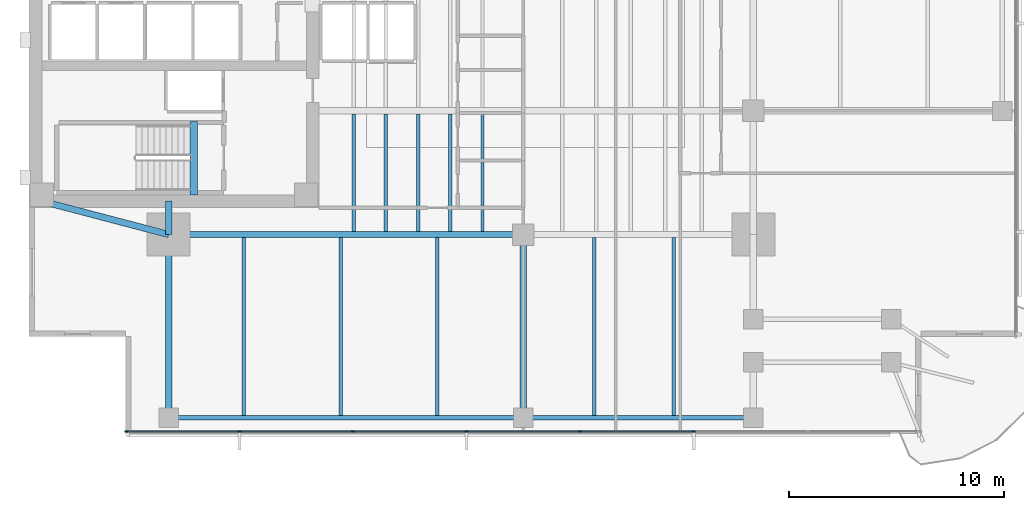
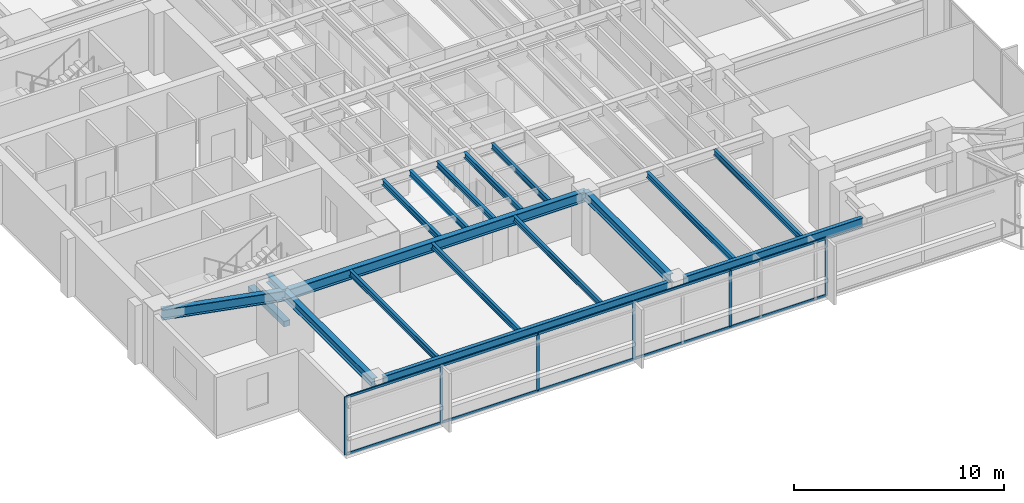
# One storey, part 2 of 14: 18 beams, 16 members, 1 element without a shape of its own.
"""IFC4 building model written with IfcOpenShell, lengths in metres."""

import ifcopenshell
import ifcopenshell.guid

model = None  # the IFC model being written
_history = None  # IfcOwnerHistory: only IFC2X3 demands one
_inside = {}  # id of a spatial element -> (the spatial element, [elements in it])
_under = {}  # id of a project, library or spatial element -> (it, [spatial elements below it])
_declared = {}  # id of a project -> (the project, [libraries it declares])
_typed = {}  # id of a type object -> (the type object, [elements of that type])
_made_of = {}  # id of a material, layer set ... -> (it, [elements and type objects made of it])


def new_model(schema):
    """Start an empty IFC model of exactly this schema.

    Asked for "IFC4X3", IfcOpenShell would pick the latest addendum, in which some entities
    have other attributes; the version numbers below select the first issue.
    IFC2X3 requires an IfcOwnerHistory on every rooted entity: one is made here for all.
    """
    global model, _history
    if schema == "IFC4X3":
        model = ifcopenshell.file(schema_version=(4, 3, 0, 0))
    else:
        model = ifcopenshell.file(schema=schema)
    _inside.clear()
    _under.clear()
    _declared.clear()
    _typed.clear()
    _made_of.clear()
    _history = None
    if model.schema == "IFC2X3":
        org = make("IfcOrganization", Name="unknown")
        user = make(
            "IfcPersonAndOrganization",
            ThePerson=make("IfcPerson", FamilyName="unknown"),
            TheOrganization=org,
        )
        app = make(
            "IfcApplication",
            ApplicationDeveloper=org,
            Version="unknown",
            ApplicationFullName="unknown",
            ApplicationIdentifier="unknown",
        )
        _history = make(
            "IfcOwnerHistory",
            OwningUser=user,
            OwningApplication=app,
            ChangeAction="ADDED",
            CreationDate=0,
        )
    return model


def make(cls, **values):
    """One entity of the class cls with the attributes given. An attribute that is None is left unset."""
    return model.create_entity(
        cls, **{name: value for name, value in values.items() if value is not None}
    )


def rooted(cls, **values):
    """An entity with a GlobalId (a new one), such as an element, a storey or a relation."""
    return make(cls, GlobalId=ifcopenshell.guid.new(), OwnerHistory=_history, **values)


def si_unit(unit_type, name, prefix=None):
    """IfcSIUnit, for example si_unit("LENGTHUNIT", "METRE", prefix="MILLI")."""
    return make("IfcSIUnit", UnitType=unit_type, Prefix=prefix, Name=name)


def assignment(units):
    """IfcUnitAssignment: the units of a project."""
    return None if units is None else make("IfcUnitAssignment", Units=units)


def point(xyz):
    """IfcCartesianPoint."""
    return None if xyz is None else make("IfcCartesianPoint", Coordinates=xyz)


def direction(xyz):
    """IfcDirection."""
    return None if xyz is None else make("IfcDirection", DirectionRatios=xyz)


def frame(location, z_axis=None, x_axis=None):
    """IfcAxis2Placement3D, a coordinate frame: its origin and axes. An axis left out is left unset."""
    return make(
        "IfcAxis2Placement3D",
        Location=point(location),
        Axis=direction(z_axis),
        RefDirection=direction(x_axis),
    )


def frame_2d(location, x_axis=None):
    """IfcAxis2Placement2D, a coordinate frame in the plane: its origin and x axis."""
    return make(
        "IfcAxis2Placement2D", Location=point(location), RefDirection=direction(x_axis)
    )


def origin():
    """The frame at (0, 0, 0) with its axes left unset."""
    return frame((0.0, 0.0, 0.0))


def origin_2d():
    """The frame at (0, 0) in the plane with its x axis left unset."""
    return frame_2d((0.0, 0.0))


def place(relative_to, where):
    """IfcLocalPlacement: puts the frame where relative to a parent placement (None: the world)."""
    return make(
        "IfcLocalPlacement", PlacementRelTo=relative_to, RelativePlacement=where
    )


def context(
    kind, dimensions, precision=None, world=None, true_north=None, identifier=None
):
    """IfcGeometricRepresentationContext, for example the 3D "Model" context."""
    return make(
        "IfcGeometricRepresentationContext",
        ContextIdentifier=identifier,
        ContextType=kind,
        CoordinateSpaceDimension=dimensions,
        Precision=precision,
        WorldCoordinateSystem=world,
        TrueNorth=true_north,
    )


def subcontext(parent, identifier, kind, view, scale=None):
    """IfcGeometricRepresentationSubContext, for example "Body" below "Model"."""
    return make(
        "IfcGeometricRepresentationSubContext",
        ContextIdentifier=identifier,
        ContextType=kind,
        ParentContext=parent,
        TargetScale=scale,
        TargetView=view,
    )


def project(units=None, contexts=None):
    """IfcProject with its units and contexts."""
    return rooted(
        "IfcProject",
        Name="project",
        RepresentationContexts=contexts,
        UnitsInContext=assignment(units),
    )


def spatial(cls, under=None, at=None, **own):
    """A site, building, storey or space (cls), placed at a placement, below another one or the project."""
    s = rooted(cls, ObjectPlacement=at, **own)
    if under is not None:
        _under.setdefault(under.id(), (under, []))[1].append(s)
    return s


def profile(cls, at=None, kind="AREA", **sizes):
    """A parametric profile (cls). Its sizes go by their IFC names, for example OverallWidth=200.0."""
    return make(cls, ProfileType=kind, Position=at, **sizes)


def rectangle(**sizes):
    """IfcRectangleProfileDef."""
    return profile("IfcRectangleProfileDef", **sizes)


def i_section(**sizes):
    """IfcIShapeProfileDef."""
    return profile("IfcIShapeProfileDef", **sizes)


def extrude(swept, where, along, depth):
    """IfcExtrudedAreaSolid: the profile swept, set in the frame where, extruded along a direction by depth."""
    return make(
        "IfcExtrudedAreaSolid",
        SweptArea=swept,
        Position=where,
        ExtrudedDirection=direction(along),
        Depth=depth,
    )


def shape(context_of_items, identifier, shape_type, items):
    """IfcShapeRepresentation: the items that make up one representation, for example the "Body"."""
    return make(
        "IfcShapeRepresentation",
        ContextOfItems=context_of_items,
        RepresentationIdentifier=identifier,
        RepresentationType=shape_type,
        Items=items,
    )


def material(Name=None, Category=None):
    """IfcMaterial."""
    return make("IfcMaterial", Name=Name, Category=Category)


def layer(
    of_material, thickness, ventilated=None, Name=None, Category=None, Priority=None
):
    """IfcMaterialLayer: one layer of a wall or slab, of a material (None: an air gap)."""
    return make(
        "IfcMaterialLayer",
        Material=of_material,
        LayerThickness=thickness,
        IsVentilated=ventilated,
        Name=Name,
        Category=Category,
        Priority=Priority,
    )


def layer_set(layers, Name=None):
    """IfcMaterialLayerSet."""
    return make("IfcMaterialLayerSet", MaterialLayers=layers, LayerSetName=Name)


def material_profile(
    of_material, cross_section, Name=None, Category=None, Priority=None
):
    """IfcMaterialProfile: a cross section and its material."""
    return make(
        "IfcMaterialProfile",
        Name=Name,
        Material=of_material,
        Profile=cross_section,
        Priority=Priority,
        Category=Category,
    )


def profile_set(profiles, Name=None, composite=None):
    """IfcMaterialProfileSet."""
    return make(
        "IfcMaterialProfileSet",
        Name=Name,
        MaterialProfiles=profiles,
        CompositeProfile=composite,
    )


def made_of(thing, what):
    """Note that an element or type object is made of a material, layer set ...; save() writes the relation."""
    if what is not None:
        _made_of.setdefault(what.id(), (what, []))[1].append(thing)
    return thing


def type_object(cls, material=None, **own):
    """A type object (cls), such as IfcWallType, which elements share."""
    return made_of(rooted(cls, **own), material)


def element(
    cls,
    number,
    at=None,
    inside=None,
    cuts=None,
    type_object=None,
    material=None,
    context=None,
    identifier="Body",
    shape_type=None,
    held_by="IfcProductDefinitionShape",
    body=None,
    shapes=None,
    **own,
):
    """One element of the class cls, such as IfcWall. Its Tag is "e" and its number.

    at: its placement. inside: the storey or other place that contains it. cuts: it is an
    opening in that element (IfcRelVoidsElement). A single representation is given by context,
    identifier, shape_type and body (its items); several are given by shapes. held_by: the class
    of the entity that holds the representations. save() writes the other relations.
    """
    e = rooted(cls, Tag="e%d" % number, ObjectPlacement=at, **own)
    if body is not None:
        shapes = [shape(context, identifier, shape_type, body)]
    if shapes is not None:
        e.Representation = make(held_by, Representations=shapes)
    if inside is not None:
        _inside.setdefault(inside.id(), (inside, []))[1].append(e)
    if cuts is not None:
        rooted(
            "IfcRelVoidsElement", RelatingBuildingElement=cuts, RelatedOpeningElement=e
        )
    if type_object is not None:
        _typed.setdefault(type_object.id(), (type_object, []))[1].append(e)
    return made_of(e, material)


def aggregate(whole, parts):
    """IfcRelAggregates: a whole, such as a stair, and the parts it consists of."""
    return rooted("IfcRelAggregates", RelatingObject=whole, RelatedObjects=parts)


def save(model, path):
    """Write the relations noted so far, then the file.

    IfcRelAggregates (storeys below a building ...), IfcRelContainedInSpatialStructure (elements
    in a storey), IfcRelDefinesByType, IfcRelAssociatesMaterial and IfcRelDeclares: one each for
    every whole, place, type object, material and project.
    """
    for whole, parts in _under.values():
        aggregate(whole, parts)
    for where, things in _inside.values():
        rooted(
            "IfcRelContainedInSpatialStructure",
            RelatedElements=things,
            RelatingStructure=where,
        )
    for kind, things in _typed.values():
        rooted("IfcRelDefinesByType", RelatedObjects=things, RelatingType=kind)
    for what, things in _made_of.values():
        rooted("IfcRelAssociatesMaterial", RelatedObjects=things, RelatingMaterial=what)
    for by, libraries in _declared.values():
        rooted("IfcRelDeclares", RelatingContext=by, RelatedDefinitions=libraries)
    model.write(path)


model = new_model("IFC4")

# Units and contexts
model_context = context("Model", 3, precision=1e-05, world=origin(), true_north=direction((0.0, 1.0)))
body_context = subcontext(model_context, "Body", "Model", "MODEL_VIEW")
ifc_project = project(units=[si_unit("LENGTHUNIT", "METRE"), si_unit("AREAUNIT", "SQUARE_METRE"), si_unit("VOLUMEUNIT", "CUBIC_METRE"), si_unit("PLANEANGLEUNIT", "RADIAN"), si_unit("MASSUNIT", "GRAM", prefix="KILO")], contexts=[model_context])

# Site, building, storey
site_placement = place(None, origin())
site = spatial("IfcSite", under=ifc_project, at=site_placement, CompositionType="ELEMENT")
building_placement = place(site_placement, origin())
building = spatial("IfcBuilding", under=site, at=building_placement, Name="Kinhvarn Gate Tower", CompositionType="ELEMENT")
storey_placement = place(building_placement, frame((0.0, 0.0, 102.25)))
storey = spatial("IfcBuildingStorey", under=building, at=storey_placement, Name="L26", CompositionType="ELEMENT", Elevation=102.25)

# Beam
ifc_material_1 = material(Name="Concrete C50/60", Category="concrete")
ifc_material_profile_1 = material_profile(ifc_material_1, rectangle(XDim=0.340087890625, YDim=0.320068359375, at=origin_2d()), Name="RC 340x320")
ifc_profile_set_1 = profile_set([ifc_material_profile_1], Name="Concrete C50/60")
beam_type_1 = type_object("IfcBeamType", Name="BM-LND-500", PredefinedType="BEAM", material=ifc_profile_set_1)
beam_1_placement = place(storey_placement, frame((12.1650390625, 14.60009765625, -0.159912109375), z_axis=(0.0, 1.0, 0.0), x_axis=(-1.0, 0.0, 0.0)))
element("IfcBeam", 1, at=beam_1_placement, inside=storey, type_object=beam_type_1, Name="Stair ST1 Landing Nosing Beam (L26)", PredefinedType="BEAM", context=body_context, shape_type="SweptSolid", body=[
    extrude(rectangle(XDim=0.340087890625, YDim=0.320068359375, at=origin_2d()), origin(), (0.0, 0.0, 1.0), 3.39990234375),
])

# Curtain wall, members
ifc_material_2 = material(Name="Anodised aluminium AW-6063", Category="aluminium")
ifc_layer = layer(ifc_material_2, 0.179931640625)
ifc_layer_set = layer_set([ifc_layer], Name="Anodised aluminium AW-6063")
curtain_wall_type = type_object("IfcCurtainWallType", Name="CW-SYS-3", PredefinedType="NOTDEFINED", material=ifc_layer_set)
curtain_wall_placement = place(storey_placement, origin())
curtain_wall = element("IfcCurtainWall", 2, at=curtain_wall_placement, inside=storey, type_object=curtain_wall_type, Name="Curtain Wall CW3 (L26)", PredefinedType="NOTDEFINED")
ifc_material_profile_2 = material_profile(ifc_material_2, rectangle(XDim=0.06494140625, YDim=0.159912109375, at=origin_2d()), Name="ALU 65x160")
ifc_profile_set_2 = profile_set([ifc_material_profile_2], Name="Anodised aluminium AW-6063")
member_type_1 = type_object("IfcMemberType", Name="CW-MUL-160", PredefinedType="MULLION", material=ifc_profile_set_2)
member_1_placement = place(storey_placement, frame((9.032470703125, 3.590087890625, 0.0), z_axis=(0.0, 0.0, 1.0), x_axis=(0.0, 1.0, 0.0)))
member_1 = element("IfcMember", 3, at=member_1_placement, type_object=member_type_1, Name="CW3 mullion 1", PredefinedType="MULLION", context=body_context, shape_type="SweptSolid", body=[
    extrude(rectangle(XDim=0.06494140625, YDim=0.159912109375, at=origin_2d()), origin(), (0.0, 0.0, 1.0), 3.3701171875),
])
member_2_placement = place(storey_placement, frame((14.28564453125, 3.590087890625, 0.0), z_axis=(0.0, 0.0, 1.0), x_axis=(0.0, 1.0, 0.0)))
member_2 = element("IfcMember", 4, at=member_2_placement, type_object=member_type_1, Name="CW3 mullion 2", PredefinedType="MULLION", context=body_context, shape_type="SweptSolid", body=[
    extrude(rectangle(XDim=0.06494140625, YDim=0.159912109375, at=origin_2d()), origin(), (0.0, 0.0, 1.0), 3.3701171875),
])
member_3_placement = place(storey_placement, frame((19.571533203125, 3.590087890625, 0.0), z_axis=(0.0, 0.0, 1.0), x_axis=(0.0, 1.0, 0.0)))
member_3 = element("IfcMember", 5, at=member_3_placement, type_object=member_type_1, Name="CW3 mullion 3", PredefinedType="MULLION", context=body_context, shape_type="SweptSolid", body=[
    extrude(rectangle(XDim=0.06494140625, YDim=0.159912109375, at=origin_2d()), origin(), (0.0, 0.0, 1.0), 3.3701171875),
])
member_4_placement = place(storey_placement, frame((24.857177734375, 3.590087890625, 0.0), z_axis=(0.0, 0.0, 1.0), x_axis=(0.0, 1.0, 0.0)))
member_4 = element("IfcMember", 6, at=member_4_placement, type_object=member_type_1, Name="CW3 mullion 4", PredefinedType="MULLION", context=body_context, shape_type="SweptSolid", body=[
    extrude(rectangle(XDim=0.06494140625, YDim=0.159912109375, at=origin_2d()), origin(), (0.0, 0.0, 1.0), 3.3701171875),
])
member_5_placement = place(storey_placement, frame((30.142822265625, 3.590087890625, 0.0), z_axis=(0.0, 0.0, 1.0), x_axis=(0.0, 1.0, 0.0)))
member_5 = element("IfcMember", 7, at=member_5_placement, type_object=member_type_1, Name="CW3 mullion 5", PredefinedType="MULLION", context=body_context, shape_type="SweptSolid", body=[
    extrude(rectangle(XDim=0.06494140625, YDim=0.159912109375, at=origin_2d()), origin(), (0.0, 0.0, 1.0), 3.3701171875),
])
member_6_placement = place(storey_placement, frame((35.428466796875, 3.590087890625, 0.0), z_axis=(0.0, 0.0, 1.0), x_axis=(0.0, 1.0, 0.0)))
member_6 = element("IfcMember", 8, at=member_6_placement, type_object=member_type_1, Name="CW3 mullion 6", PredefinedType="MULLION", context=body_context, shape_type="SweptSolid", body=[
    extrude(rectangle(XDim=0.06494140625, YDim=0.159912109375, at=origin_2d()), origin(), (0.0, 0.0, 1.0), 3.3701171875),
])
ifc_material_profile_3 = material_profile(ifc_material_2, rectangle(XDim=0.070068359375, YDim=0.139892578125, at=origin_2d()), Name="ALU 70x140")
ifc_profile_set_3 = profile_set([ifc_material_profile_3], Name="Anodised aluminium AW-6063")
member_type_2 = type_object("IfcMemberType", Name="CW-TRN-140", PredefinedType="USERDEFINED", material=ifc_profile_set_3)
member_7_placement = place(storey_placement, frame((9.06494140625, 3.590087890625, 0.034912109375), z_axis=(1.0, 0.0, 0.0), x_axis=(0.0, 1.0, 0.0)))
member_7 = element("IfcMember", 9, at=member_7_placement, type_object=member_type_2, Name="CW3 transom 1.1", ObjectType="TRANSOM", PredefinedType="USERDEFINED", context=body_context, shape_type="SweptSolid", body=[
    extrude(rectangle(XDim=0.070068359375, YDim=0.139892578125, at=origin_2d()), origin(), (0.0, 0.0, 1.0), 5.188232421875),
])
member_8_placement = place(storey_placement, frame((9.06494140625, 3.590087890625, 3.3349609375), z_axis=(1.0, 0.0, 0.0), x_axis=(0.0, 1.0, 0.0)))
member_8 = element("IfcMember", 10, at=member_8_placement, type_object=member_type_2, Name="CW3 transom 1.2", ObjectType="TRANSOM", PredefinedType="USERDEFINED", context=body_context, shape_type="SweptSolid", body=[
    extrude(rectangle(XDim=0.070068359375, YDim=0.139892578125, at=origin_2d()), origin(), (0.0, 0.0, 1.0), 5.188232421875),
])
member_9_placement = place(storey_placement, frame((14.318115234375, 3.590087890625, 0.034912109375), z_axis=(1.0, 0.0, 0.0), x_axis=(0.0, 1.0, 0.0)))
member_9 = element("IfcMember", 11, at=member_9_placement, type_object=member_type_2, Name="CW3 transom 2.1", ObjectType="TRANSOM", PredefinedType="USERDEFINED", context=body_context, shape_type="SweptSolid", body=[
    extrude(rectangle(XDim=0.070068359375, YDim=0.139892578125, at=origin_2d()), origin(), (0.0, 0.0, 1.0), 5.220703125),
])
member_10_placement = place(storey_placement, frame((14.318115234375, 3.590087890625, 3.3349609375), z_axis=(1.0, 0.0, 0.0), x_axis=(0.0, 1.0, 0.0)))
member_10 = element("IfcMember", 12, at=member_10_placement, type_object=member_type_2, Name="CW3 transom 2.2", ObjectType="TRANSOM", PredefinedType="USERDEFINED", context=body_context, shape_type="SweptSolid", body=[
    extrude(rectangle(XDim=0.070068359375, YDim=0.139892578125, at=origin_2d()), origin(), (0.0, 0.0, 1.0), 5.220703125),
])
member_11_placement = place(storey_placement, frame((19.60400390625, 3.590087890625, 0.034912109375), z_axis=(1.0, 0.0, 0.0), x_axis=(0.0, 1.0, 0.0)))
member_11 = element("IfcMember", 13, at=member_11_placement, type_object=member_type_2, Name="CW3 transom 3.1", ObjectType="TRANSOM", PredefinedType="USERDEFINED", context=body_context, shape_type="SweptSolid", body=[
    extrude(rectangle(XDim=0.070068359375, YDim=0.139892578125, at=origin_2d()), origin(), (0.0, 0.0, 1.0), 5.220703125),
])
member_12_placement = place(storey_placement, frame((19.60400390625, 3.590087890625, 3.3349609375), z_axis=(1.0, 0.0, 0.0), x_axis=(0.0, 1.0, 0.0)))
member_12 = element("IfcMember", 14, at=member_12_placement, type_object=member_type_2, Name="CW3 transom 3.2", ObjectType="TRANSOM", PredefinedType="USERDEFINED", context=body_context, shape_type="SweptSolid", body=[
    extrude(rectangle(XDim=0.070068359375, YDim=0.139892578125, at=origin_2d()), origin(), (0.0, 0.0, 1.0), 5.220703125),
])
member_13_placement = place(storey_placement, frame((24.8896484375, 3.590087890625, 0.034912109375), z_axis=(1.0, 0.0, 0.0), x_axis=(0.0, 1.0, 0.0)))
member_13 = element("IfcMember", 15, at=member_13_placement, type_object=member_type_2, Name="CW3 transom 4.1", ObjectType="TRANSOM", PredefinedType="USERDEFINED", context=body_context, shape_type="SweptSolid", body=[
    extrude(rectangle(XDim=0.070068359375, YDim=0.139892578125, at=origin_2d()), origin(), (0.0, 0.0, 1.0), 5.220703125),
])
member_14_placement = place(storey_placement, frame((24.8896484375, 3.590087890625, 3.3349609375), z_axis=(1.0, 0.0, 0.0), x_axis=(0.0, 1.0, 0.0)))
member_14 = element("IfcMember", 16, at=member_14_placement, type_object=member_type_2, Name="CW3 transom 4.2", ObjectType="TRANSOM", PredefinedType="USERDEFINED", context=body_context, shape_type="SweptSolid", body=[
    extrude(rectangle(XDim=0.070068359375, YDim=0.139892578125, at=origin_2d()), origin(), (0.0, 0.0, 1.0), 5.220703125),
])
member_15_placement = place(storey_placement, frame((30.17529296875, 3.590087890625, 0.034912109375), z_axis=(1.0, 0.0, 0.0), x_axis=(0.0, 1.0, 0.0)))
member_15 = element("IfcMember", 17, at=member_15_placement, type_object=member_type_2, Name="CW3 transom 5.1", ObjectType="TRANSOM", PredefinedType="USERDEFINED", context=body_context, shape_type="SweptSolid", body=[
    extrude(rectangle(XDim=0.070068359375, YDim=0.139892578125, at=origin_2d()), origin(), (0.0, 0.0, 1.0), 5.220703125),
])
member_16_placement = place(storey_placement, frame((30.17529296875, 3.590087890625, 3.3349609375), z_axis=(1.0, 0.0, 0.0), x_axis=(0.0, 1.0, 0.0)))
member_16 = element("IfcMember", 18, at=member_16_placement, type_object=member_type_2, Name="CW3 transom 5.2", ObjectType="TRANSOM", PredefinedType="USERDEFINED", context=body_context, shape_type="SweptSolid", body=[
    extrude(rectangle(XDim=0.070068359375, YDim=0.139892578125, at=origin_2d()), origin(), (0.0, 0.0, 1.0), 5.220703125),
])
aggregate(curtain_wall, [member_1, member_2, member_3, member_4, member_5, member_6, member_7, member_8, member_9, member_10, member_11, member_12, member_13, member_14, member_15, member_16])

# Beams
ifc_material_3 = material(Name="Steel S355", Category="steel")
ifc_material_profile_4 = material_profile(ifc_material_3, i_section(OverallWidth=0.300048828125, OverallDepth=0.5, WebThickness=0.014404296875, FlangeThickness=0.028076171875, at=origin_2d()), Name="HEB 500")
ifc_profile_set_4 = profile_set([ifc_material_profile_4], Name="Steel S355")
beam_type_2 = type_object("IfcBeamType", Name="STL-HEB500", PredefinedType="BEAM", material=ifc_profile_set_4)
beam_2_placement = place(storey_placement, frame((11.0, 4.219970703125, 3.1201171875), z_axis=(0.0, 1.0, 0.0), x_axis=(-1.0, 0.0, 0.0)))
element("IfcBeam", 19, at=beam_2_placement, inside=storey, type_object=beam_type_2, Name="Floor Beam PG-14 (L26 MCW-S)", PredefinedType="BEAM", context=body_context, shape_type="SweptSolid", body=[
    extrude(i_section(OverallWidth=0.300048828125, OverallDepth=0.5, WebThickness=0.014404296875, FlangeThickness=0.028076171875, at=origin_2d()), origin(), (0.0, 0.0, 1.0), 8.530029296875),
])
beam_3_placement = place(storey_placement, frame((11.0, 12.75, 3.1201171875), z_axis=(0.0, 1.0, 0.0), x_axis=(-1.0, 0.0, 0.0)))
element("IfcBeam", 20, at=beam_3_placement, inside=storey, type_object=beam_type_2, Name="Floor Beam PG-14 (L26 MCW-CS)", PredefinedType="BEAM", context=body_context, shape_type="SweptSolid", body=[
    extrude(i_section(OverallWidth=0.300048828125, OverallDepth=0.5, WebThickness=0.014404296875, FlangeThickness=0.028076171875, at=origin_2d()), origin(), (0.0, 0.0, 1.0), 1.550048828125),
])
beam_4_placement = place(storey_placement, frame((27.5, 4.655029296875, 3.1201171875), z_axis=(0.0, 1.0, 0.0), x_axis=(-1.0, 0.0, 0.0)))
element("IfcBeam", 21, at=beam_4_placement, inside=storey, type_object=beam_type_2, Name="Floor Beam PG-14 (L26 SP27-S-TIE)", PredefinedType="BEAM", context=body_context, shape_type="SweptSolid", body=[
    extrude(i_section(OverallWidth=0.300048828125, OverallDepth=0.5, WebThickness=0.014404296875, FlangeThickness=0.028076171875, at=origin_2d()), origin(), (0.0, 0.0, 1.0), 8.094970703125),
])
ifc_material_profile_5 = material_profile(ifc_material_3, i_section(OverallWidth=0.300048828125, OverallDepth=0.60009765625, WebThickness=0.015380859375, FlangeThickness=0.030029296875, at=origin_2d()), Name="HEB 600")
ifc_profile_set_5 = profile_set([ifc_material_profile_5], Name="Steel S355")
beam_type_3 = type_object("IfcBeamType", Name="STL-HEB600", PredefinedType="BEAM", material=ifc_profile_set_5)
beam_5_placement = place(storey_placement, frame((11.0, 12.75, 3.070068359375), z_axis=(1.0, 0.0, 0.0), x_axis=(0.0, 1.0, 0.0)))
element("IfcBeam", 22, at=beam_5_placement, inside=storey, type_object=beam_type_3, Name="Floor Beam PG-16 (L26 MG-S1)", PredefinedType="BEAM", context=body_context, shape_type="SweptSolid", body=[
    extrude(i_section(OverallWidth=0.300048828125, OverallDepth=0.60009765625, WebThickness=0.015380859375, FlangeThickness=0.030029296875, at=origin_2d()), origin(), (0.0, 0.0, 1.0), 16.5),
])
beam_6_placement = place(storey_placement, frame((5.10009765625, 14.300048828125, 3.070068359375), z_axis=(0.967177623957, -0.254101246979, 0.0), x_axis=(0.254101246979, 0.967177623957, 0.0)))
element("IfcBeam", 23, at=beam_6_placement, inside=storey, type_object=beam_type_3, Name="Floor Beam PG-16 (L26 MG-SW-DIAG)", PredefinedType="BEAM", context=body_context, shape_type="SweptSolid", body=[
    extrude(i_section(OverallWidth=0.300048828125, OverallDepth=0.60009765625, WebThickness=0.015380859375, FlangeThickness=0.030029296875, at=origin_2d()), origin(), (0.0, 0.0, 1.0), 6.10009765625),
])
ifc_material_profile_6 = material_profile(ifc_material_3, i_section(OverallWidth=0.159912109375, OverallDepth=0.330078125, WebThickness=0.007568359375, FlangeThickness=0.011474609375, at=origin_2d()), Name="IPE 330")
ifc_profile_set_6 = profile_set([ifc_material_profile_6], Name="Steel S355")
beam_type_4 = type_object("IfcBeamType", Name="STL-IPE330", PredefinedType="JOIST", material=ifc_profile_set_6)
for number, where, z_axis, x_axis, name in (
    (24, (19.60009765625, 12.89990234375, 3.205078125), (0.0, 1.0, 0.0), (-1.0, 0.0, 0.0), "Floor Joist SB-03 (L26 JC-X196-0)"),
    (25, (21.10009765625, 12.89990234375, 3.205078125), (0.0, 1.0, 0.0), (-1.0, 0.0, 0.0), "Floor Joist SB-03 (L26 JC-X211-0)"),
    (26, (22.60009765625, 12.89990234375, 3.205078125), (0.0, 1.0, 0.0), (-1.0, 0.0, 0.0), "Floor Joist SB-03 (L26 JC-X226-0)"),
    (27, (24.10009765625, 12.89990234375, 3.205078125), (0.0, 1.0, 0.0), (-1.0, 0.0, 0.0), "Floor Joist SB-03 (L26 JC-X241-0)"),
    (28, (25.60009765625, 12.89990234375, 3.205078125), (0.0, 1.0, 0.0), (-1.0, 0.0, 0.0), "Floor Joist SB-03 (L26 JC-X256-0)"),
):
    element("IfcBeam", number, at=place(storey_placement, frame(where, z_axis=z_axis, x_axis=x_axis)), inside=storey, type_object=beam_type_4, Name=name, PredefinedType="JOIST", context=body_context, shape_type="SweptSolid", body=[
        extrude(i_section(OverallWidth=0.159912109375, OverallDepth=0.330078125, WebThickness=0.007568359375, FlangeThickness=0.011474609375, at=origin_2d()), origin(), (0.0, 0.0, 1.0), 5.4501953125),
    ])
for number, where, z_axis, x_axis, name in (
    (29, (14.5, 4.324951171875, 3.205078125), (0.0, 1.0, 0.0), (-1.0, 0.0, 0.0), "Floor Joist SB-03 (L26 JS-X145)"),
    (30, (19.0, 4.324951171875, 3.205078125), (0.0, 1.0, 0.0), (-1.0, 0.0, 0.0), "Floor Joist SB-03 (L26 JS-X190)"),
    (31, (23.5, 4.324951171875, 3.205078125), (0.0, 1.0, 0.0), (-1.0, 0.0, 0.0), "Floor Joist SB-03 (L26 JS-X235)"),
    (32, (30.800048828125, 4.324951171875, 3.205078125), (0.0, 1.0, 0.0), (-1.0, 0.0, 0.0), "Floor Joist SB-03 (L26 JS-X308)"),
    (33, (34.5, 4.324951171875, 3.205078125), (0.0, 1.0, 0.0), (-1.0, 0.0, 0.0), "Floor Joist SB-03 (L26 JS-X345)"),
):
    element("IfcBeam", number, at=place(storey_placement, frame(where, z_axis=z_axis, x_axis=x_axis)), inside=storey, type_object=beam_type_4, Name=name, PredefinedType="JOIST", context=body_context, shape_type="SweptSolid", body=[
        extrude(i_section(OverallWidth=0.159912109375, OverallDepth=0.330078125, WebThickness=0.007568359375, FlangeThickness=0.011474609375, at=origin_2d()), origin(), (0.0, 0.0, 1.0), 8.275146484375),
    ])
ifc_material_profile_7 = material_profile(ifc_material_3, i_section(OverallWidth=0.2099609375, OverallDepth=0.550048828125, WebThickness=0.010986328125, FlangeThickness=0.01708984375, at=origin_2d()), Name="IPE 550")
ifc_profile_set_7 = profile_set([ifc_material_profile_7], Name="Steel S355")
beam_type_5 = type_object("IfcBeamType", Name="STL-IPE550", PredefinedType="SPANDREL", material=ifc_profile_set_7)
beam_7_placement = place(storey_placement, frame((11.43505859375, 4.219970703125, 3.094970703125), z_axis=(1.0, 0.0, 0.0), x_axis=(0.0, 1.0, 0.0)))
element("IfcBeam", 34, at=beam_7_placement, inside=storey, type_object=beam_type_5, Name="Floor Spandrel SB-08 (L26 SP-S1)", PredefinedType="SPANDREL", context=body_context, shape_type="SweptSolid", body=[
    extrude(i_section(OverallWidth=0.2099609375, OverallDepth=0.550048828125, WebThickness=0.010986328125, FlangeThickness=0.01708984375, at=origin_2d()), origin(), (0.0, 0.0, 1.0), 15.6298828125),
])
beam_8_placement = place(storey_placement, frame((27.93505859375, 4.219970703125, 3.094970703125), z_axis=(1.0, 0.0, 0.0), x_axis=(0.0, 1.0, 0.0)))
element("IfcBeam", 35, at=beam_8_placement, inside=storey, type_object=beam_type_5, Name="Floor Spandrel SB-08 (L26 SP-S2)", PredefinedType="SPANDREL", context=body_context, shape_type="SweptSolid", body=[
    extrude(i_section(OverallWidth=0.2099609375, OverallDepth=0.550048828125, WebThickness=0.010986328125, FlangeThickness=0.01708984375, at=origin_2d()), origin(), (0.0, 0.0, 1.0), 9.829833984375),
])

save(model, "model.ifc")
